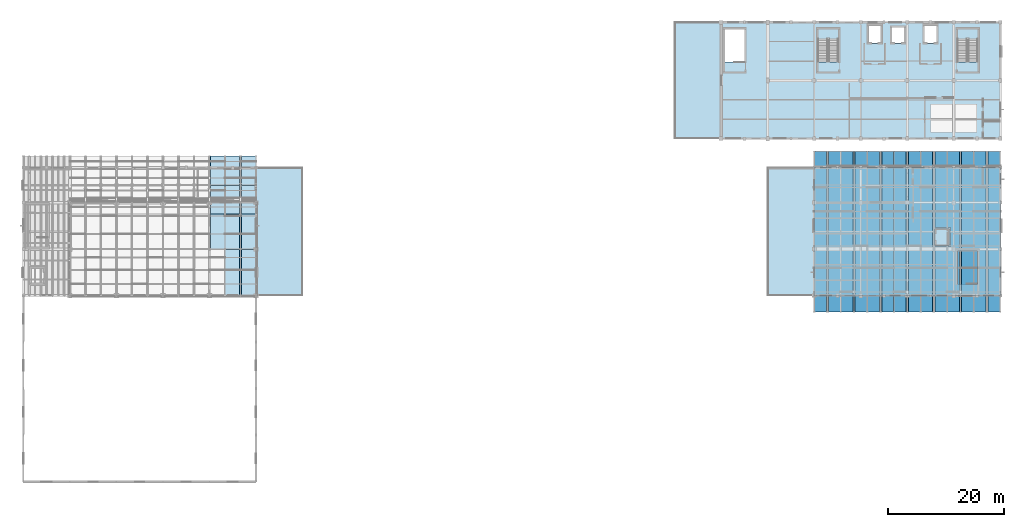
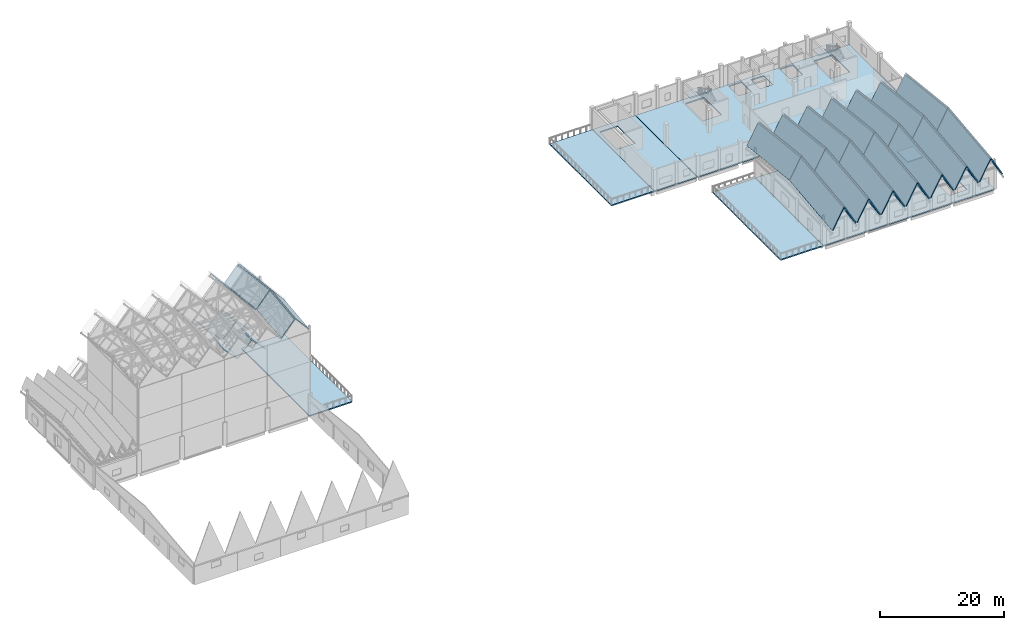
# One storey, part 24 of 48: 48 slabs, 2 elements without a shape of their own.
"""IFC4 building model written with IfcOpenShell, lengths in metres."""

from ifc_helpers import new_model, si_unit, direction, frame, origin, place, context, subcontext, project, spatial, polyline, outline, extrude, material, layer, layer_set, type_object, element, aggregate, save


model = new_model("IFC4")

# Units and contexts
model_context = context("Model", 3, precision=1e-05, world=origin(), true_north=direction((0.0, 1.0)))
body_context = subcontext(model_context, "Body", "Model", "MODEL_VIEW")
ifc_project = project(units=[si_unit("LENGTHUNIT", "METRE"), si_unit("AREAUNIT", "SQUARE_METRE"), si_unit("VOLUMEUNIT", "CUBIC_METRE"), si_unit("PLANEANGLEUNIT", "RADIAN"), si_unit("MASSUNIT", "GRAM", prefix="KILO")], contexts=[model_context])

# Site, building, storey
site_placement = place(None, origin())
site = spatial("IfcSite", under=ifc_project, at=site_placement, CompositionType="ELEMENT")
building_placement = place(site_placement, origin())
building = spatial("IfcBuilding", under=site, at=building_placement, Name="Luwemba Playhouse", CompositionType="ELEMENT")
storey_placement = place(building_placement, frame((0.0, 0.0, 13.800048828125)))
storey = spatial("IfcBuildingStorey", under=building, at=storey_placement, Name="L03", CompositionType="ELEMENT", Elevation=13.800048828125)

# Stair, slab
ifc_material_1 = material(Name="Concrete C40/50", Category="concrete")
stair_type = type_object("IfcStairType", Name="STR-DL-04", PredefinedType="HALF_TURN_STAIR", material=ifc_material_1)
stair_1_placement = place(storey_placement, origin())
stair_1 = element("IfcStair", 1, at=stair_1_placement, inside=storey, type_object=stair_type, Name="L03 Conservatory Firefighting Escape Stair", PredefinedType="HALF_TURN_STAIR")
ifc_layer_1 = layer(ifc_material_1, 0.215087890625)
ifc_layer_set_1 = layer_set([ifc_layer_1], Name="Concrete C40/50")
slab_type_1 = type_object("IfcSlabType", Name="SLB-LND-215", PredefinedType="LANDING", material=ifc_layer_set_1)
slab_1_placement = place(storey_placement, frame((0.0, 0.0, 2.050048828125)))
slab_1 = element("IfcSlab", 2, at=slab_1_placement, type_object=slab_type_1, Name="ST-09 landing 1", PredefinedType="LANDING", context=body_context, shape_type="SweptSolid", body=[
    extrude(outline(polyline([(144.2900390625, 111.97998046875), (140.510009765625, 111.97998046875), (140.510009765625, 113.9599609375), (144.2900390625, 113.9599609375), (144.2900390625, 111.97998046875)])), origin(), (0.0, 0.0, 1.0), 0.199951171875),
])
aggregate(stair_1, [slab_1])

stair_2_placement = place(storey_placement, origin())
stair_2 = element("IfcStair", 3, at=stair_2_placement, inside=storey, type_object=stair_type, Name="L03 Conservatory East Escape Stair", PredefinedType="HALF_TURN_STAIR")
slab_2_placement = place(storey_placement, frame((0.0, 0.0, 2.050048828125)))
slab_2 = element("IfcSlab", 4, at=slab_2_placement, type_object=slab_type_1, Name="ST-10 landing 1", PredefinedType="LANDING", context=body_context, shape_type="SweptSolid", body=[
    extrude(outline(polyline([(168.2900390625, 111.97998046875), (164.510009765625, 111.97998046875), (164.510009765625, 113.9599609375), (168.2900390625, 113.9599609375), (168.2900390625, 111.97998046875)])), origin(), (0.0, 0.0, 1.0), 0.199951171875),
])
aggregate(stair_2, [slab_2])

# Slabs
ifc_material_2 = material(Name="Concrete C32/40", Category="concrete")
ifc_layer_2 = layer(ifc_material_2, 0.179931640625)
ifc_layer_set_2 = layer_set([ifc_layer_2], Name="Concrete C32/40")
slab_type_2 = type_object("IfcSlabType", Name="SLB-ROOF-180", PredefinedType="ROOF", material=ifc_layer_set_2)
slab_3_placement = place(storey_placement, frame((36.151611328125, 76.06005859375, 20.876953125), z_axis=(0.756388626011, 0.072913761435, 0.65004602132), x_axis=(0.651780984105, -1.523644e-06, -0.758407244662)))
element("IfcSlab", 5, at=slab_3_placement, inside=storey, type_object=slab_type_2, Name="RF-V2-FLY pleated roof facet 10N", PredefinedType="ROOF", context=body_context, shape_type="SweptSolid", body=[
    extrude(outline(polyline([(0.0, 0.0), (3.797345574926059, 0.0), (4.677015567605448, 10.36744643456486), (0.8794848346606722, 10.367434831792485), (0.0, 0.0)])), origin(), (0.0, 0.0, -1.0), 0.179931640625),
])
slab_4_placement = place(storey_placement, frame((38.706787109375, 68.0, 17.1064453125), z_axis=(-0.756374795015, -0.072917564661, 0.650061688018), x_axis=(0.651796789856, 0.0, 0.758393660795)))
element("IfcSlab", 6, at=slab_4_placement, inside=storey, type_object=slab_type_2, Name="RF-V2-FLY pleated roof facet 11S", PredefinedType="ROOF", context=body_context, shape_type="SweptSolid", body=[
    extrude(outline(polyline([(0.0, 0.0), (3.797345575755142, 2.7755575615628914e-17), (4.472789929900539, 7.961134174837234), (0.6754443541453969, 7.961134174837234), (0.0, 0.0)])), origin(), (0.0, 0.0, -1.0), 0.179931640625),
])
slab_5_placement = place(storey_placement, frame((38.706787109375, 76.06005859375, 17.9970703125), z_axis=(-0.756361188698, 0.072917297819, 0.650077549151), x_axis=(0.651812596084, -1.523792e-06, 0.758380075941)))
element("IfcSlab", 7, at=slab_5_placement, inside=storey, type_object=slab_type_2, Name="RF-V2-FLY pleated roof facet 11N", PredefinedType="ROOF", context=body_context, shape_type="SweptSolid", body=[
    extrude(outline(polyline([(0.0, 0.0), (3.797345574925978, 2.7755575615628914e-17), (2.9176755855630656, 10.36744643484623), (-0.8794848379771851, 10.36743483151111), (0.0, 0.0)])), origin(), (0.0, 0.0, -1.0), 0.179931640625),
])
slab_6_placement = place(storey_placement, frame((41.48486328125, 68.0, 19.986328125), z_axis=(0.756374795015, -0.072917564661, 0.650061688018), x_axis=(0.651796789856, 0.0, -0.758393660795)))
element("IfcSlab", 8, at=slab_6_placement, inside=storey, type_object=slab_type_2, Name="RF-V2-FLY pleated roof facet 12S", PredefinedType="ROOF", context=body_context, shape_type="SweptSolid", body=[
    extrude(outline(polyline([(0.0, 0.0), (3.797345575755142, -2.7755575615628914e-17), (3.1219012216097455, 7.961134174837233), (-0.6754443541453969, 7.961134174837234), (0.0, 0.0)])), origin(), (0.0, 0.0, -1.0), 0.179931640625),
])
slab_7_placement = place(storey_placement, frame((41.48486328125, 76.06005859375, 20.876953125), z_axis=(0.756375331092, 0.072907895886, 0.650062148746), x_axis=(0.651796789856, 0.0, -0.758393660795)))
element("IfcSlab", 9, at=slab_7_placement, inside=storey, type_object=slab_type_2, Name="RF-V2-FLY pleated roof facet 12N", PredefinedType="ROOF", context=body_context, shape_type="SweptSolid", body=[
    extrude(outline(polyline([(0.0, 0.0), (3.7973455757551426, 2.7755575615628914e-17), (4.676830411881962, 10.367434831971782), (0.8794848361268189, 10.367434831971783), (0.0, 0.0)])), origin(), (0.0, 0.0, -1.0), 0.179931640625),
])
slab_8_placement = place(storey_placement, frame((36.146728515625, 82.0, 7.341552734375), z_axis=(0.72968823833, -0.07623326784, 0.679517154837), x_axis=(0.68150031365, 0.0, -0.731817820564)))
element("IfcSlab", 10, at=slab_8_placement, inside=storey, type_object=slab_type_2, Name="RF-V2-NORTH pleated roof facet 10S", PredefinedType="ROOF", context=body_context, shape_type="SweptSolid", body=[
    extrude(outline(polyline([(0.0, 0.0), (3.6390012140547197, 2.7755575615628914e-17), (3.233428349630713, 4.954358537983423), (-0.40557286442400686, 4.954358537983423), (0.0, 0.0)])), origin(), (0.0, 0.0, -1.0), 0.179931640625),
])
slab_9_placement = place(storey_placement, frame((36.146728515625, 87.06005859375, 7.895751953125), z_axis=(0.72968823833, 0.07623326784, 0.679517154837), x_axis=(0.68150031365, 0.0, -0.731817820564)))
element("IfcSlab", 11, at=slab_9_placement, inside=storey, type_object=slab_type_2, Name="RF-V2-NORTH pleated roof facet 10N", PredefinedType="ROOF", context=body_context, shape_type="SweptSolid", body=[
    extrude(outline(polyline([(0.0, 0.0), (3.6390012140547197, -2.7755575615628914e-17), (4.0445740784787265, 4.954358537983423), (0.40557286442400686, 4.954358537983423), (0.0, 0.0)])), origin(), (0.0, 0.0, -1.0), 0.179931640625),
])
slab_10_placement = place(storey_placement, frame((38.706787109375, 82.0, 4.6787109375), z_axis=(-0.729707121048, -0.076214438904, 0.679498989547), x_axis=(0.681481208744, -1.737381e-06, 0.731835611409)))
element("IfcSlab", 12, at=slab_10_placement, inside=storey, type_object=slab_type_2, Name="RF-V2-NORTH pleated roof facet 11S", PredefinedType="ROOF", context=body_context, shape_type="SweptSolid", body=[
    extrude(outline(polyline([(0.0, 0.0), (3.6386561647574216, 0.0), (4.044230306292584, 4.9543584327422465), (0.405395470731596, 4.9543457520841105), (0.0, 0.0)])), origin(), (0.0, 0.0, -1.0), 0.179931640625),
])
slab_11_placement = place(storey_placement, frame((38.706787109375, 87.06005859375, 5.232666015625), z_axis=(-0.729707121048, 0.076214438904, 0.679498989547), x_axis=(0.681481014373, -1.737296e-06, 0.731835792406)))
element("IfcSlab", 13, at=slab_11_placement, inside=storey, type_object=slab_type_2, Name="RF-V2-NORTH pleated roof facet 11N", PredefinedType="ROOF", context=body_context, shape_type="SweptSolid", body=[
    extrude(outline(polyline([(0.0, 0.0), (3.638834835583083, -2.7755575615628914e-17), (3.233243429038804, 4.954357019362213), (-0.4054127356965239, 4.954344339326711), (0.0, 0.0)])), origin(), (0.0, 0.0, -1.0), 0.179931640625),
])
slab_12_placement = place(storey_placement, frame((41.47998046875, 82.0, 7.341552734375), z_axis=(0.72968823833, -0.07623326784, 0.679517154837), x_axis=(0.68150031365, 0.0, -0.731817820564)))
element("IfcSlab", 14, at=slab_12_placement, inside=storey, type_object=slab_type_2, Name="RF-V2-NORTH pleated roof facet 12S", PredefinedType="ROOF", context=body_context, shape_type="SweptSolid", body=[
    extrude(outline(polyline([(0.0, 0.0), (3.6390012140547197, 2.7755575615628914e-17), (3.233428349630713, 4.954358537983423), (-0.40557286442400686, 4.954358537983423), (0.0, 0.0)])), origin(), (0.0, 0.0, -1.0), 0.179931640625),
])
slab_13_placement = place(storey_placement, frame((41.47998046875, 87.06005859375, 7.895751953125), z_axis=(0.72968823833, 0.07623326784, 0.679517154837), x_axis=(0.68150031365, 0.0, -0.731817820564)))
element("IfcSlab", 15, at=slab_13_placement, inside=storey, type_object=slab_type_2, Name="RF-V2-NORTH pleated roof facet 12N", PredefinedType="ROOF", context=body_context, shape_type="SweptSolid", body=[
    extrude(outline(polyline([(0.0, 0.0), (3.6390012140547197, -2.7755575615628914e-17), (4.0445740784787265, 4.954358537983423), (0.40557286442400686, 4.954358537983423), (0.0, 0.0)])), origin(), (0.0, 0.0, -1.0), 0.179931640625),
])
ifc_layer_3 = layer(ifc_material_2, 0.199951171875)
ifc_layer_set_3 = layer_set([ifc_layer_3], Name="Concrete C32/40")
slab_type_3 = type_object("IfcSlabType", Name="SLB-ROOF-200", PredefinedType="ROOF", material=ifc_layer_set_3)
slab_14_placement = place(storey_placement, frame((140.0400390625, 65.199951171875, 4.618896484375), z_axis=(-0.875443040196, -0.05386939888, 0.480309870017), x_axis=(0.48100829899, 0.0, 0.876716040861)))
element("IfcSlab", 16, at=slab_14_placement, inside=storey, type_object=slab_type_3, Name="RF-V4 pleated roof facet 1S", PredefinedType="ROOF", context=body_context, shape_type="SweptSolid", body=[
    extrude(outline(polyline([(0.0, 0.0), (4.27314856352704, -2.7755575615628914e-17), (5.624181681181512, 13.759969851428286), (1.351033117654472, 13.759969851428286), (0.0, 0.0)])), origin(), (0.0, 0.0, -1.0), 0.199951171875),
])
slab_15_placement = place(storey_placement, frame((140.0400390625, 79.06005859375, 6.159912109375), z_axis=(-0.875443040196, 0.05386939888, 0.480309870017), x_axis=(0.48100829899, 0.0, 0.876716040861)))
element("IfcSlab", 17, at=slab_15_placement, inside=storey, type_object=slab_type_3, Name="RF-V4 pleated roof facet 1N", PredefinedType="ROOF", context=body_context, shape_type="SweptSolid", body=[
    extrude(outline(polyline([(0.0, 0.0), (4.27314856352704, 2.7755575615628914e-17), (2.922115445872568, 13.759969851428288), (-1.351033117654472, 13.759969851428286), (0.0, 0.0)])), origin(), (0.0, 0.0, -1.0), 0.199951171875),
])
slab_16_placement = place(storey_placement, frame((142.47607421875, 65.199951171875, 8.365234375), z_axis=(0.875449502214, -0.053872308395, 0.480297765413), x_axis=(0.480996287356, 7.3916e-07, -0.87672263091)))
element("IfcSlab", 18, at=slab_16_placement, inside=storey, type_object=slab_type_3, Name="RF-V4 pleated roof facet 2S", PredefinedType="ROOF", context=body_context, shape_type="SweptSolid", body=[
    extrude(outline(polyline([(0.0, 0.0), (4.2731485631248205, 2.7755575615628914e-17), (2.9221154461476186, 13.759969851369876), (-1.3512471605882639, 13.759976177792586), (0.0, 0.0)])), origin(), (0.0, 0.0, -1.0), 0.199951171875),
])
for number, where, z_axis, x_axis, name in (
    (19, (142.47607421875, 79.06005859375, 9.906494140625), (0.875449502214, 0.053872308395, 0.480297765413), (0.480996217434, 7.39123e-07, -0.876722669271), "RF-V4 pleated roof facet 2N"),
    (20, (144.611328125, 65.199951171875, 4.61865234375), (-0.875449502214, -0.053872308395, 0.480297765413), (0.480996217434, 7.39123e-07, 0.876722669271), "RF-V4 pleated roof facet 3S"),
):
    element("IfcSlab", number, at=place(storey_placement, frame(where, z_axis=z_axis, x_axis=x_axis)), inside=storey, type_object=slab_type_3, Name=name, PredefinedType="ROOF", context=body_context, shape_type="SweptSolid", body=[
        extrude(outline(polyline([(0.0, 0.0), (4.273362606740566, 0.0), (5.624416094415848, 13.75996785124215), (1.3512675312957099, 13.759974177347985), (0.0, 0.0)])), origin(), (0.0, 0.0, -1.0), 0.199951171875),
    ])
slab_17_placement = place(storey_placement, frame((144.611328125, 79.06005859375, 6.159912109375), z_axis=(-0.875449502214, 0.053872308395, 0.480297765413), x_axis=(0.480996287356, 7.3916e-07, 0.87672263091)))
element("IfcSlab", 21, at=slab_17_placement, inside=storey, type_object=slab_type_3, Name="RF-V4 pleated roof facet 3N", PredefinedType="ROOF", context=body_context, shape_type="SweptSolid", body=[
    extrude(outline(polyline([(0.0, 0.0), (4.2731485631248205, 2.7755575615628914e-17), (2.9221154461476186, 13.759969851369876), (-1.3512471605882639, 13.759976177792586), (0.0, 0.0)])), origin(), (0.0, 0.0, -1.0), 0.199951171875),
])
slab_18_placement = place(storey_placement, frame((147.04736328125, 65.199951171875, 8.365234375), z_axis=(0.875455963735, -0.053875217753, 0.480285661324), x_axis=(0.480984206311, 0.0, -0.876729258825)))
element("IfcSlab", 22, at=slab_18_placement, inside=storey, type_object=slab_type_3, Name="RF-V4 pleated roof facet 4S", PredefinedType="ROOF", context=body_context, shape_type="SweptSolid", body=[
    extrude(outline(polyline([(0.0, 0.0), (4.273362607142765, 1.3877787807814457e-17), (2.922095075169834, 13.759974177406386), (-1.3512675319729304, 13.759974177406386), (0.0, 0.0)])), origin(), (0.0, 0.0, -1.0), 0.199951171875),
])
slab_19_placement = place(storey_placement, frame((147.04736328125, 79.06005859375, 9.906494140625), z_axis=(0.875455963735, 0.053875217753, 0.480285661324), x_axis=(0.480984206311, 0.0, -0.876729258825)))
element("IfcSlab", 23, at=slab_19_placement, inside=storey, type_object=slab_type_3, Name="RF-V4 pleated roof facet 4N", PredefinedType="ROOF", context=body_context, shape_type="SweptSolid", body=[
    extrude(outline(polyline([(0.0, 0.0), (4.273362607142765, -1.3877787807814457e-17), (5.624630139115695, 13.759974177406386), (1.3512675319729304, 13.759974177406386), (0.0, 0.0)])), origin(), (0.0, 0.0, -1.0), 0.199951171875),
])
slab_20_placement = place(storey_placement, frame((149.182861328125, 65.199951171875, 4.618896484375), z_axis=(-0.875449502214, -0.053872308395, 0.480297765413), x_axis=(0.480996287356, -7.3916e-07, 0.87672263091)))
element("IfcSlab", 24, at=slab_20_placement, inside=storey, type_object=slab_type_3, Name="RF-V4 pleated roof facet 5S", PredefinedType="ROOF", context=body_context, shape_type="SweptSolid", body=[
    extrude(outline(polyline([(0.0, 0.0), (4.2731485631248205, -2.7755575615628914e-17), (5.624395723713084, 13.759976177792586), (1.351033116977202, 13.759969851369874), (0.0, 0.0)])), origin(), (0.0, 0.0, -1.0), 0.199951171875),
])
for number, where, z_axis, x_axis, name in (
    (25, (149.182861328125, 79.06005859375, 6.159912109375), (-0.875449502214, 0.053872308395, 0.480297765413), (0.480996217434, -7.39123e-07, 0.876722669271), "RF-V4 pleated roof facet 5N"),
    (26, (151.618896484375, 65.199951171875, 8.365234375), (0.875449502214, -0.053872308395, 0.480297765413), (0.480996217434, -7.39123e-07, -0.876722669271), "RF-V4 pleated roof facet 6S"),
):
    element("IfcSlab", number, at=place(storey_placement, frame(where, z_axis=z_axis, x_axis=x_axis)), inside=storey, type_object=slab_type_3, Name=name, PredefinedType="ROOF", context=body_context, shape_type="SweptSolid", body=[
        extrude(outline(polyline([(0.0, 0.0), (4.273362606740566, 0.0), (2.9220950754448554, 13.759974177347985), (-1.3510534876752824, 13.75996785124215), (0.0, 0.0)])), origin(), (0.0, 0.0, -1.0), 0.199951171875),
    ])
slab_21_placement = place(storey_placement, frame((151.618896484375, 79.06005859375, 9.90625), z_axis=(0.875449502214, 0.053872308395, 0.480297765413), x_axis=(0.480996287356, -7.3916e-07, -0.87672263091)))
element("IfcSlab", 27, at=slab_21_placement, inside=storey, type_object=slab_type_3, Name="RF-V4 pleated roof facet 6N", PredefinedType="ROOF", context=body_context, shape_type="SweptSolid", body=[
    extrude(outline(polyline([(0.0, 0.0), (4.2731485631248205, -2.7755575615628914e-17), (5.624395723713084, 13.759976177792586), (1.351033116977202, 13.759969851369874), (0.0, 0.0)])), origin(), (0.0, 0.0, -1.0), 0.199951171875),
])
slab_22_placement = place(storey_placement, frame((153.75439453125, 65.199951171875, 4.618896484375), z_axis=(-0.875443040196, -0.05386939888, 0.480309870017), x_axis=(0.48100829899, 0.0, 0.876716040861)))
element("IfcSlab", 28, at=slab_22_placement, inside=storey, type_object=slab_type_3, Name="RF-V4 pleated roof facet 7S", PredefinedType="ROOF", context=body_context, shape_type="SweptSolid", body=[
    extrude(outline(polyline([(0.0, 0.0), (4.27314856352704, -2.7755575615628914e-17), (5.624181681181512, 13.759969851428286), (1.351033117654472, 13.759969851428286), (0.0, 0.0)])), origin(), (0.0, 0.0, -1.0), 0.199951171875),
])
for number, where, z_axis, x_axis, name in (
    (29, (153.75439453125, 79.06005859375, 6.159912109375), (-0.875443040196, 0.05386939888, 0.480309870017), (0.48100829899, 0.0, 0.876716040861), "RF-V4 pleated roof facet 7N"),
    (30, (156.190185546875, 65.199951171875, 8.365234375), (0.875443040196, -0.05386939888, 0.480309870017), (0.48100829899, 0.0, -0.876716040861), "RF-V4 pleated roof facet 8S"),
):
    element("IfcSlab", number, at=place(storey_placement, frame(where, z_axis=z_axis, x_axis=x_axis)), inside=storey, type_object=slab_type_3, Name=name, PredefinedType="ROOF", context=body_context, shape_type="SweptSolid", body=[
        extrude(outline(polyline([(0.0, 0.0), (4.27314856352704, 2.7755575615628914e-17), (2.922115445872568, 13.759969851428288), (-1.351033117654472, 13.759969851428286), (0.0, 0.0)])), origin(), (0.0, 0.0, -1.0), 0.199951171875),
    ])
slab_23_placement = place(storey_placement, frame((156.190185546875, 79.06005859375, 9.90625), z_axis=(0.875443040196, 0.05386939888, 0.480309870017), x_axis=(0.48100829899, 0.0, -0.876716040861)))
element("IfcSlab", 31, at=slab_23_placement, inside=storey, type_object=slab_type_3, Name="RF-V4 pleated roof facet 8N", PredefinedType="ROOF", context=body_context, shape_type="SweptSolid", body=[
    extrude(outline(polyline([(0.0, 0.0), (4.27314856352704, -2.7755575615628914e-17), (5.624181681181512, 13.759969851428286), (1.351033117654472, 13.759969851428286), (0.0, 0.0)])), origin(), (0.0, 0.0, -1.0), 0.199951171875),
])
slab_24_placement = place(storey_placement, frame((158.32568359375, 65.199951171875, 4.61865234375), z_axis=(-0.875449502214, -0.053872308395, 0.480297765413), x_axis=(0.480996217434, 7.39123e-07, 0.876722669271)))
element("IfcSlab", 32, at=slab_24_placement, inside=storey, type_object=slab_type_3, Name="RF-V4 pleated roof facet 9S", PredefinedType="ROOF", context=body_context, shape_type="SweptSolid", body=[
    extrude(outline(polyline([(0.0, 0.0), (4.273362606740566, 0.0), (5.624416094415848, 13.75996785124215), (1.3512675312957099, 13.759974177347985), (0.0, 0.0)])), origin(), (0.0, 0.0, -1.0), 0.199951171875),
])
for number, where, z_axis, x_axis, name in (
    (33, (158.32568359375, 79.06005859375, 6.159912109375), (-0.875449502214, 0.053872308395, 0.480297765413), (0.480996287356, 7.3916e-07, 0.87672263091), "RF-V4 pleated roof facet 9N"),
    (34, (160.76171875, 65.199951171875, 8.365234375), (0.875449502214, -0.053872308395, 0.480297765413), (0.480996287356, 7.3916e-07, -0.87672263091), "RF-V4 pleated roof facet 10S"),
):
    element("IfcSlab", number, at=place(storey_placement, frame(where, z_axis=z_axis, x_axis=x_axis)), inside=storey, type_object=slab_type_3, Name=name, PredefinedType="ROOF", context=body_context, shape_type="SweptSolid", body=[
        extrude(outline(polyline([(0.0, 0.0), (4.2731485631248205, 2.7755575615628914e-17), (2.9221154461476186, 13.759969851369876), (-1.3512471605882639, 13.759976177792586), (0.0, 0.0)])), origin(), (0.0, 0.0, -1.0), 0.199951171875),
    ])
slab_25_placement = place(storey_placement, frame((160.76171875, 79.06005859375, 9.906494140625), z_axis=(0.875449502214, 0.053872308395, 0.480297765413), x_axis=(0.480996217434, 7.39123e-07, -0.876722669271)))
element("IfcSlab", 35, at=slab_25_placement, inside=storey, type_object=slab_type_3, Name="RF-V4 pleated roof facet 10N", PredefinedType="ROOF", context=body_context, shape_type="SweptSolid", body=[
    extrude(outline(polyline([(0.0, 0.0), (4.273362606740566, 0.0), (5.624416094415848, 13.75996785124215), (1.3512675312957099, 13.759974177347985), (0.0, 0.0)])), origin(), (0.0, 0.0, -1.0), 0.199951171875),
])
slab_26_placement = place(storey_placement, frame((162.897216796875, 65.199951171875, 4.61865234375), z_axis=(-0.875455963735, -0.053875217753, 0.480285661324), x_axis=(0.480984206311, 0.0, 0.876729258825)))
element("IfcSlab", 36, at=slab_26_placement, inside=storey, type_object=slab_type_3, Name="RF-V4 pleated roof facet 11S", PredefinedType="ROOF", context=body_context, shape_type="SweptSolid", body=[
    extrude(outline(polyline([(0.0, 0.0), (4.273362607142765, -1.3877787807814457e-17), (5.624630139115695, 13.759974177406386), (1.3512675319729304, 13.759974177406386), (0.0, 0.0)])), origin(), (0.0, 0.0, -1.0), 0.199951171875),
])
slab_27_placement = place(storey_placement, frame((162.897216796875, 79.06005859375, 6.159912109375), z_axis=(-0.875455963735, 0.053875217753, 0.480285661324), x_axis=(0.480984206311, 0.0, 0.876729258825)))
element("IfcSlab", 37, at=slab_27_placement, inside=storey, type_object=slab_type_3, Name="RF-V4 pleated roof facet 11N", PredefinedType="ROOF", context=body_context, shape_type="SweptSolid", body=[
    extrude(outline(polyline([(0.0, 0.0), (4.273362607142765, 1.3877787807814457e-17), (2.922095075169834, 13.759974177406386), (-1.3512675319729304, 13.759974177406386), (0.0, 0.0)])), origin(), (0.0, 0.0, -1.0), 0.199951171875),
])
slab_28_placement = place(storey_placement, frame((165.333251953125, 65.199951171875, 8.365234375), z_axis=(0.875449502214, -0.053872308395, 0.480297765413), x_axis=(0.480996217434, -7.39123e-07, -0.876722669271)))
element("IfcSlab", 38, at=slab_28_placement, inside=storey, type_object=slab_type_3, Name="RF-V4 pleated roof facet 12S", PredefinedType="ROOF", context=body_context, shape_type="SweptSolid", body=[
    extrude(outline(polyline([(0.0, 0.0), (4.273362606740566, 0.0), (2.9220950754448554, 13.759974177347985), (-1.3510534876752824, 13.75996785124215), (0.0, 0.0)])), origin(), (0.0, 0.0, -1.0), 0.199951171875),
])
for number, where, z_axis, x_axis, name in (
    (39, (165.333251953125, 79.06005859375, 9.90625), (0.875449502214, 0.053872308395, 0.480297765413), (0.480996287356, -7.3916e-07, -0.87672263091), "RF-V4 pleated roof facet 12N"),
    (40, (167.468505859375, 65.199951171875, 4.618896484375), (-0.875449502214, -0.053872308395, 0.480297765413), (0.480996287356, -7.3916e-07, 0.87672263091), "RF-V4 pleated roof facet 13S"),
):
    element("IfcSlab", number, at=place(storey_placement, frame(where, z_axis=z_axis, x_axis=x_axis)), inside=storey, type_object=slab_type_3, Name=name, PredefinedType="ROOF", context=body_context, shape_type="SweptSolid", body=[
        extrude(outline(polyline([(0.0, 0.0), (4.2731485631248205, -2.7755575615628914e-17), (5.624395723713084, 13.759976177792586), (1.351033116977202, 13.759969851369874), (0.0, 0.0)])), origin(), (0.0, 0.0, -1.0), 0.199951171875),
    ])
slab_29_placement = place(storey_placement, frame((167.468505859375, 79.06005859375, 6.159912109375), z_axis=(-0.875449502214, 0.053872308395, 0.480297765413), x_axis=(0.480996217434, -7.39123e-07, 0.876722669271)))
element("IfcSlab", 41, at=slab_29_placement, inside=storey, type_object=slab_type_3, Name="RF-V4 pleated roof facet 13N", PredefinedType="ROOF", context=body_context, shape_type="SweptSolid", body=[
    extrude(outline(polyline([(0.0, 0.0), (4.273362606740566, 0.0), (2.9220950754448554, 13.759974177347985), (-1.3510534876752824, 13.75996785124215), (0.0, 0.0)])), origin(), (0.0, 0.0, -1.0), 0.199951171875),
])
slab_30_placement = place(storey_placement, frame((169.904541015625, 65.199951171875, 8.365234375), z_axis=(0.875443040196, -0.05386939888, 0.480309870017), x_axis=(0.48100829899, 0.0, -0.876716040861)))
element("IfcSlab", 42, at=slab_30_placement, inside=storey, type_object=slab_type_3, Name="RF-V4 pleated roof facet 14S", PredefinedType="ROOF", context=body_context, shape_type="SweptSolid", body=[
    extrude(outline(polyline([(0.0, 0.0), (4.27314856352704, 2.7755575615628914e-17), (2.922115445872568, 13.759969851428288), (-1.351033117654472, 13.759969851428286), (0.0, 0.0)])), origin(), (0.0, 0.0, -1.0), 0.199951171875),
])
slab_31_placement = place(storey_placement, frame((169.904541015625, 79.06005859375, 9.90625), z_axis=(0.875443040196, 0.05386939888, 0.480309870017), x_axis=(0.48100829899, 0.0, -0.876716040861)))
element("IfcSlab", 43, at=slab_31_placement, inside=storey, type_object=slab_type_3, Name="RF-V4 pleated roof facet 14N", PredefinedType="ROOF", context=body_context, shape_type="SweptSolid", body=[
    extrude(outline(polyline([(0.0, 0.0), (4.27314856352704, -2.7755575615628914e-17), (5.624181681181512, 13.759969851428286), (1.351033117654472, 13.759969851428286), (0.0, 0.0)])), origin(), (0.0, 0.0, -1.0), 0.199951171875),
])
ifc_layer_4 = layer(ifc_material_1, 0.22998046875)
ifc_layer_set_4 = layer_set([ifc_layer_4], Name="Concrete C40/50")
slab_type_4 = type_object("IfcSlabType", Name="SLB-UPP-230", PredefinedType="FLOOR", material=ifc_layer_set_4)
slab_32_placement = place(storey_placement, frame((0.0, 0.0, -0.22998046875)))
element("IfcSlab", 44, at=slab_32_placement, inside=storey, type_object=slab_type_4, Name="L03 V4 structural floor slab", PredefinedType="FLOOR", context=body_context, shape_type="SweptSolid", body=[
    extrude(outline(polyline([(172.0, 90.0), (172.0, 68.0), (140.0, 68.0), (140.0, 90.0), (172.0, 90.0)]), holes=[polyline([(168.050048828125, 75.659912109375), (164.64990234375, 75.659912109375), (164.64990234375, 70.0400390625), (168.050048828125, 70.0400390625), (168.050048828125, 75.659912109375)]), polyline([(163.199951171875, 76.60009765625), (163.199951171875, 79.5), (160.800048828125, 79.5), (160.800048828125, 76.60009765625), (163.199951171875, 76.60009765625)])]), origin(), (0.0, 0.0, 1.0), 0.22998046875),
])
slab_33_placement = place(storey_placement, frame((0.0, 0.0, -0.22998046875)))
element("IfcSlab", 45, at=slab_33_placement, inside=storey, type_object=slab_type_4, Name="L03 V6E structural floor slab-MJ", PredefinedType="FLOOR", context=body_context, shape_type="SweptSolid", body=[
    extrude(outline(polyline([(131.969970703125, 115.0), (131.969970703125, 95.0), (124.0, 95.0), (124.0, 115.0), (131.969970703125, 115.0)]), holes=[polyline([(128.050048828125, 108.199951171875), (128.050048828125, 113.820068359375), (124.64990234375, 113.820068359375), (124.64990234375, 108.199951171875), (128.050048828125, 108.199951171875)])]), origin(), (0.0, 0.0, 1.0), 0.22998046875),
])
slab_34_placement = place(storey_placement, frame((0.0, 0.0, -0.22998046875)))
element("IfcSlab", 46, at=slab_34_placement, inside=storey, type_object=slab_type_4, Name="L03 V6E structural floor slab", PredefinedType="FLOOR", context=body_context, shape_type="SweptSolid", body=[
    extrude(outline(polyline([(172.0, 115.0), (172.0, 95.0), (132.030029296875, 95.0), (132.030029296875, 115.0), (172.0, 115.0)]), holes=[polyline([(140.64990234375, 108.199951171875), (144.14990234375, 108.199951171875), (144.14990234375, 113.820068359375), (140.64990234375, 113.820068359375), (140.64990234375, 108.199951171875)]), polyline([(164.64990234375, 108.199951171875), (168.14990234375, 108.199951171875), (168.14990234375, 113.820068359375), (164.64990234375, 113.820068359375), (164.64990234375, 108.199951171875)]), polyline([(153.199951171875, 111.39990234375), (155.60009765625, 111.39990234375), (155.60009765625, 114.300048828125), (153.199951171875, 114.300048828125), (153.199951171875, 111.39990234375)]), polyline([(149.199951171875, 114.60009765625), (149.199951171875, 111.39990234375), (151.60009765625, 111.39990234375), (151.60009765625, 114.60009765625), (149.199951171875, 114.60009765625)]), polyline([(158.800048828125, 114.60009765625), (158.800048828125, 111.39990234375), (161.199951171875, 111.39990234375), (161.199951171875, 114.60009765625), (158.800048828125, 114.60009765625)])]), origin(), (0.0, 0.0, 1.0), 0.22998046875),
])
slab_35_placement = place(storey_placement, frame((0.0, 0.0, -0.22998046875)))
element("IfcSlab", 47, at=slab_35_placement, inside=storey, type_object=slab_type_4, Name="L03 Stage House East Terrace", PredefinedType="FLOOR", context=body_context, shape_type="SweptSolid", body=[
    extrude(outline(polyline([(44.0, 68.0), (51.969970703125, 68.0), (51.969970703125, 90.0), (44.0, 90.0), (44.0, 68.0)])), origin(), (0.0, 0.0, 1.0), 0.22998046875),
])
slab_36_placement = place(storey_placement, frame((0.0, 0.0, -0.22998046875)))
element("IfcSlab", 48, at=slab_36_placement, inside=storey, type_object=slab_type_4, Name="L03 Experimental Terrace", PredefinedType="FLOOR", context=body_context, shape_type="SweptSolid", body=[
    extrude(outline(polyline([(132.030029296875, 68.0), (140.0, 68.0), (140.0, 90.0), (132.030029296875, 90.0), (132.030029296875, 68.0)])), origin(), (0.0, 0.0, 1.0), 0.22998046875),
])
slab_37_placement = place(storey_placement, frame((0.0, 0.0, -0.22998046875)))
element("IfcSlab", 49, at=slab_37_placement, inside=storey, type_object=slab_type_4, Name="L03 Conservatory Terrace Level 3", PredefinedType="FLOOR", context=body_context, shape_type="SweptSolid", body=[
    extrude(outline(polyline([(116.0, 95.0), (124.0, 95.0), (124.0, 115.0), (116.0, 115.0), (116.0, 95.0)])), origin(), (0.0, 0.0, 1.0), 0.22998046875),
])
slab_38_placement = place(storey_placement, frame((0.0, 0.0, 4.02001953125)))
element("IfcSlab", 50, at=slab_38_placement, inside=storey, type_object=slab_type_4, Name="Lift LF-P7 overrun cap slab", PredefinedType="FLOOR", context=body_context, shape_type="SweptSolid", body=[
    extrude(outline(polyline([(160.550048828125, 76.35009765625), (163.449951171875, 76.35009765625), (163.449951171875, 79.75), (160.550048828125, 79.75), (160.550048828125, 76.35009765625)])), origin(), (0.0, 0.0, 1.0), 0.22998046875),
])

save(model, "model.ifc")
